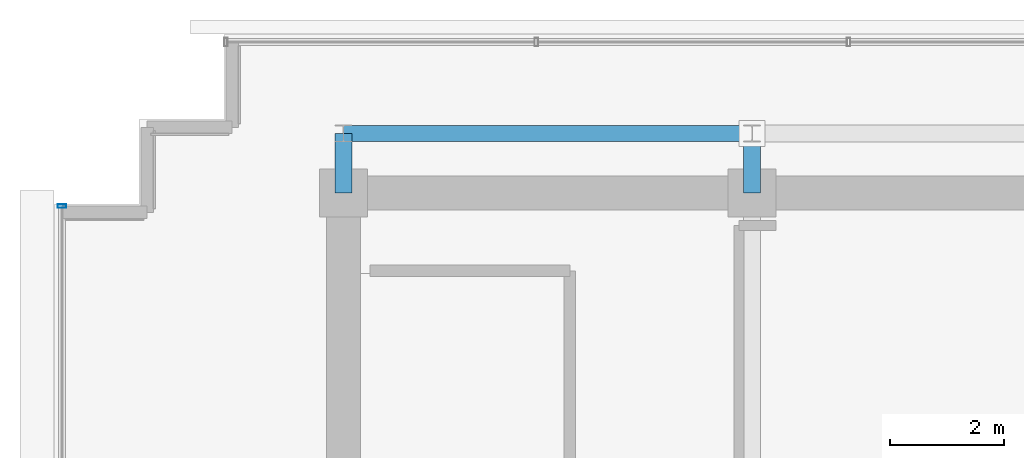
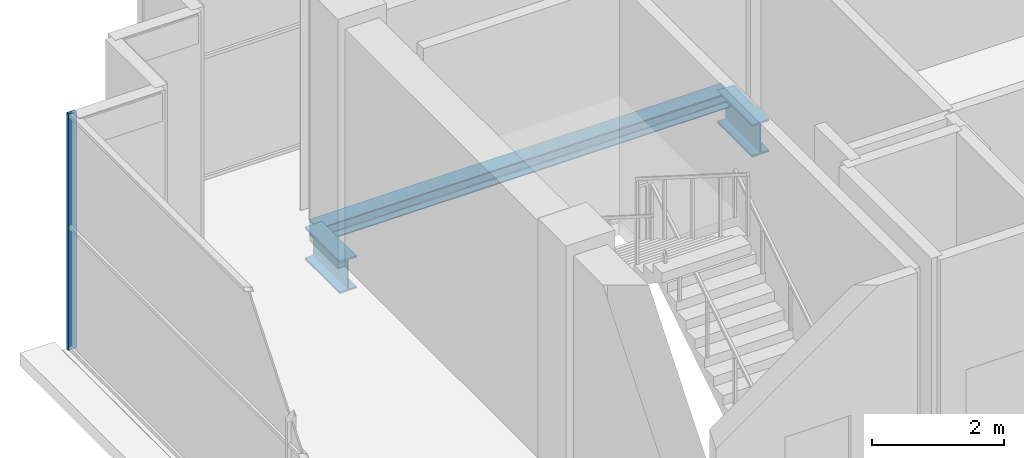
# One storey, part 13 of 26: 3 beams, 1 member, 1 element without a shape of its own.
"""IFC4 building model written with IfcOpenShell, lengths in metres."""

from ifc_helpers import new_model, si_unit, direction, frame, origin, origin_2d, place, context, subcontext, project, spatial, hollow_rectangle, i_section, extrude, source, transform, mapped, material, layer, layer_set, material_profile, profile_set, type_object, element, aggregate, save


model = new_model("IFC4")

# Units and contexts
model_context = context("Model", 3, precision=1e-05, world=origin(), true_north=direction((0.0, 1.0)))
body_context = subcontext(model_context, "Body", "Model", "MODEL_VIEW")
ifc_project = project(units=[si_unit("LENGTHUNIT", "METRE"), si_unit("AREAUNIT", "SQUARE_METRE"), si_unit("VOLUMEUNIT", "CUBIC_METRE"), si_unit("PLANEANGLEUNIT", "RADIAN"), si_unit("MASSUNIT", "GRAM", prefix="KILO")], contexts=[model_context])

# Site, building, storey
site_placement = place(None, origin())
site = spatial("IfcSite", under=ifc_project, at=site_placement, CompositionType="ELEMENT")
building_placement = place(site_placement, origin())
building = spatial("IfcBuilding", under=site, at=building_placement, Name="Zarnakvel Exchange Tower", CompositionType="ELEMENT")
storey_placement = place(building_placement, frame((0.0, 0.0, 280.800048828125)))
storey = spatial("IfcBuildingStorey", under=building, at=storey_placement, Name="Crown L79", CompositionType="ELEMENT", Elevation=280.800048828125)

# Beams
ifc_material_1 = material(Name="Steel S355", Category="steel")
ifc_material_profile_1 = material_profile(ifc_material_1, i_section(OverallWidth=0.300048828125, OverallDepth=0.60009765625, WebThickness=0.015380859375, FlangeThickness=0.030029296875, FilletRadius=0.027099609375, at=origin_2d()))
ifc_profile_set_1 = profile_set([ifc_material_profile_1], Name="Steel S355")
beam_type_1 = type_object("IfcBeamType", Name="G-04", PredefinedType="BEAM", material=ifc_profile_set_1)
for number, where, z_axis, x_axis, name in (
    (1, (-14.39990234375, 13.5, -0.52001953125), (0.0, 1.0, 0.0), (-1.0, 0.0, 0.0), "Crown L79 Tower N-S Frame Beam"),
    (2, (-7.199951171875, 13.5, -0.52001953125), (0.0, 1.0, 0.0), (-1.0, 0.0, 0.0), "Crown L79 Tower N-S Frame Beam"),
):
    element("IfcBeam", number, at=place(storey_placement, frame(where, z_axis=z_axis, x_axis=x_axis)), inside=storey, type_object=beam_type_1, Name=name, PredefinedType="BEAM", context=body_context, shape_type="SweptSolid", body=[
        extrude(i_section(OverallWidth=0.300048828125, OverallDepth=0.60009765625, WebThickness=0.015380859375, FlangeThickness=0.030029296875, FilletRadius=0.027099609375, at=origin_2d()), origin(), (0.0, 0.0, 1.0), 1.050048828125),
    ])
ifc_material_profile_2 = material_profile(ifc_material_1, i_section(OverallWidth=0.280029296875, OverallDepth=0.280029296875, WebThickness=0.010498046875, FlangeThickness=0.01806640625, FilletRadius=0.02392578125, at=origin_2d()))
ifc_profile_set_2 = profile_set([ifc_material_profile_2], Name="Steel S355")
beam_type_2 = type_object("IfcBeamType", Name="SP-04", PredefinedType="SPANDREL", material=ifc_profile_set_2)
beam_placement = place(storey_placement, frame((-14.39990234375, 14.550048828125, -0.360107421875), z_axis=(1.0, 0.0, 0.0), x_axis=(0.0, 1.0, 0.0)))
element("IfcBeam", 3, at=beam_placement, inside=storey, type_object=beam_type_2, Name="Crown L79 Tower E-W Frame Beam", PredefinedType="SPANDREL", context=body_context, shape_type="SweptSolid", body=[
    extrude(i_section(OverallWidth=0.280029296875, OverallDepth=0.280029296875, WebThickness=0.010498046875, FlangeThickness=0.01806640625, FilletRadius=0.02392578125, at=origin_2d()), origin(), (0.0, 0.0, 1.0), 7.199951171875),
])

# Curtain wall, member
ifc_material_2 = material(Name="Architectural Bronze Anodised Aluminium", Category="aluminium")
ifc_layer = layer(ifc_material_2, 0.14990234375)
ifc_layer_set = layer_set([ifc_layer], Name="Architectural Bronze Anodised Aluminium")
curtain_wall_type = type_object("IfcCurtainWallType", Name="CW-07", PredefinedType="NOTDEFINED", material=ifc_layer_set)
curtain_wall_placement = place(storey_placement, origin())
curtain_wall = element("IfcCurtainWall", 4, at=curtain_wall_placement, inside=storey, type_object=curtain_wall_type, Name="Crown L79 Curtain Wall CW-Crown L79-W (CW-07)", PredefinedType="NOTDEFINED")
ifc_material_profile_3 = material_profile(ifc_material_2, hollow_rectangle(XDim=0.14990234375, YDim=0.06005859375, WallThickness=0.00390625, at=origin_2d()))
ifc_profile_set_3 = profile_set([ifc_material_profile_3], Name="Architectural Bronze Anodised Aluminium")
member_type = type_object("IfcMemberType", Name="CWM-07", PredefinedType="MULLION", material=ifc_profile_set_3)
shared_shape = source(origin(), body_context, "Body", "SweptSolid", [
    extrude(hollow_rectangle(XDim=0.14990234375, YDim=0.06005859375, WallThickness=0.00390625, at=origin_2d()), origin(), (0.0, 0.0, 1.0), 4.35986328125),
])
member_placement = place(storey_placement, frame((-19.360107421875, 13.27001953125, 0.0), z_axis=(0.0, 0.0, 1.0), x_axis=(-1.0, 0.0, 0.0)))
member = element("IfcMember", 5, at=member_placement, type_object=member_type, Name="CW-07 mullion 5", PredefinedType="MULLION", context=body_context, shape_type="MappedRepresentation", body=[
    mapped(shared_shape, transform((0.0, 0.0, 0.0), x_axis=(1.0, 0.0, 0.0), y_axis=(0.0, 1.0, 0.0), z_axis=(0.0, 0.0, 1.0), scale=1.0)),
])
aggregate(curtain_wall, [member])

save(model, "model.ifc")
